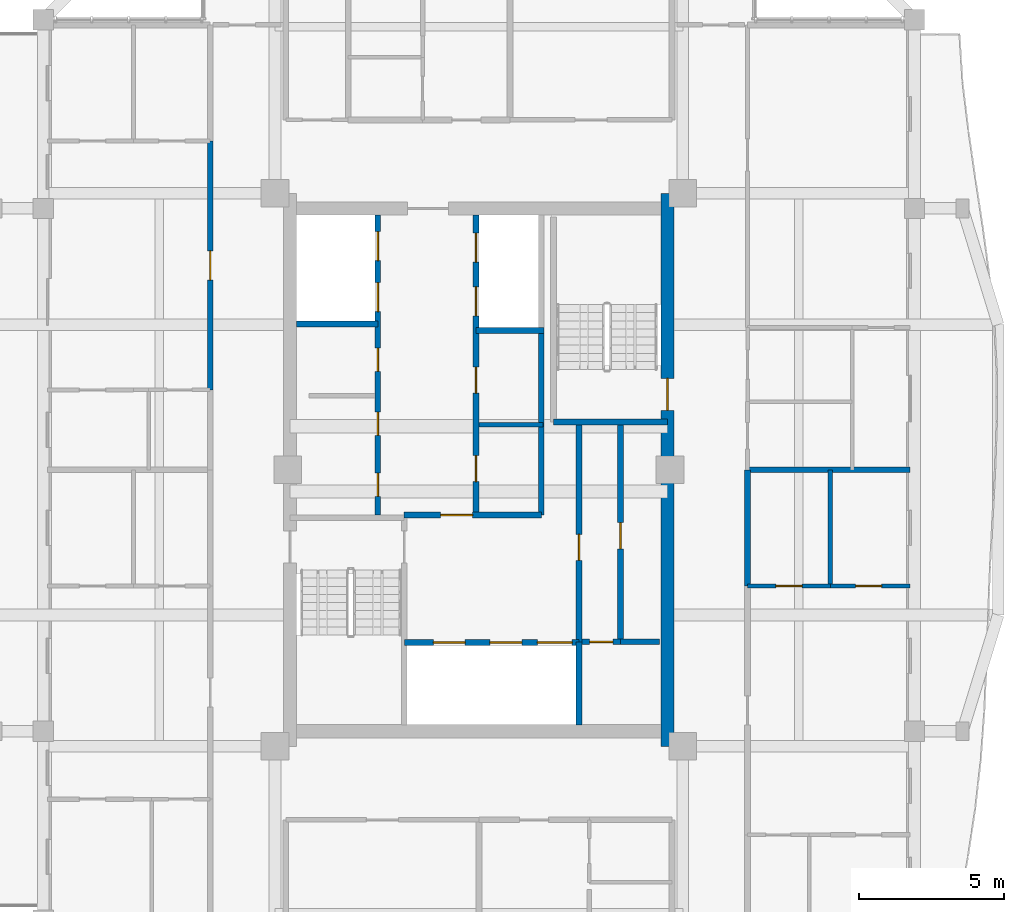
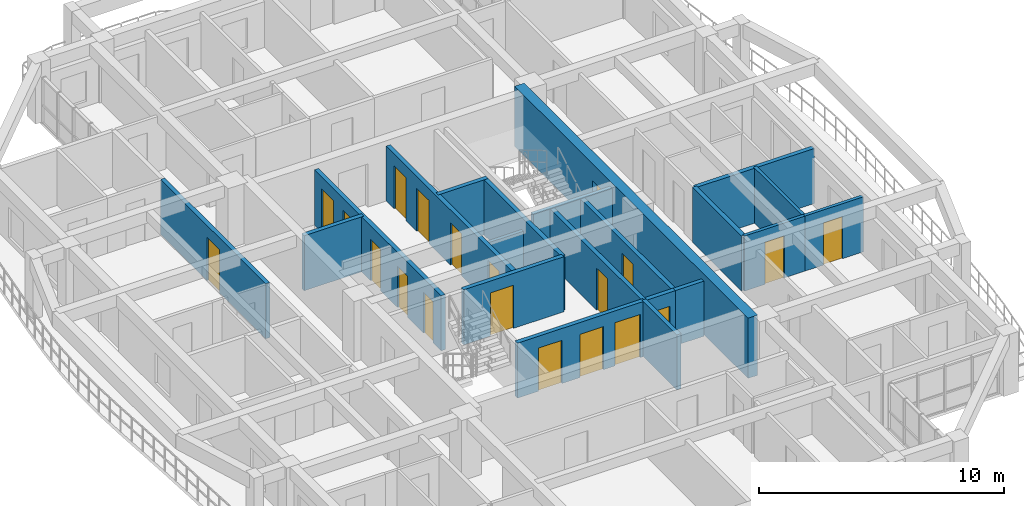
# One storey, part 16 of 24: 21 walls, 20 doors, 20 openings.
"""IFC4 building model written with IfcOpenShell, lengths in metres."""

import ifcopenshell
import ifcopenshell.guid

model = None  # the IFC model being written
_history = None  # IfcOwnerHistory: only IFC2X3 demands one
_inside = {}  # id of a spatial element -> (the spatial element, [elements in it])
_under = {}  # id of a project, library or spatial element -> (it, [spatial elements below it])
_declared = {}  # id of a project -> (the project, [libraries it declares])
_typed = {}  # id of a type object -> (the type object, [elements of that type])
_made_of = {}  # id of a material, layer set ... -> (it, [elements and type objects made of it])


def new_model(schema):
    """Start an empty IFC model of exactly this schema.

    Asked for "IFC4X3", IfcOpenShell would pick the latest addendum, in which some entities
    have other attributes; the version numbers below select the first issue.
    IFC2X3 requires an IfcOwnerHistory on every rooted entity: one is made here for all.
    """
    global model, _history
    if schema == "IFC4X3":
        model = ifcopenshell.file(schema_version=(4, 3, 0, 0))
    else:
        model = ifcopenshell.file(schema=schema)
    _inside.clear()
    _under.clear()
    _declared.clear()
    _typed.clear()
    _made_of.clear()
    _history = None
    if model.schema == "IFC2X3":
        org = make("IfcOrganization", Name="unknown")
        user = make(
            "IfcPersonAndOrganization",
            ThePerson=make("IfcPerson", FamilyName="unknown"),
            TheOrganization=org,
        )
        app = make(
            "IfcApplication",
            ApplicationDeveloper=org,
            Version="unknown",
            ApplicationFullName="unknown",
            ApplicationIdentifier="unknown",
        )
        _history = make(
            "IfcOwnerHistory",
            OwningUser=user,
            OwningApplication=app,
            ChangeAction="ADDED",
            CreationDate=0,
        )
    return model


def make(cls, **values):
    """One entity of the class cls with the attributes given. An attribute that is None is left unset."""
    return model.create_entity(
        cls, **{name: value for name, value in values.items() if value is not None}
    )


def rooted(cls, **values):
    """An entity with a GlobalId (a new one), such as an element, a storey or a relation."""
    return make(cls, GlobalId=ifcopenshell.guid.new(), OwnerHistory=_history, **values)


def si_unit(unit_type, name, prefix=None):
    """IfcSIUnit, for example si_unit("LENGTHUNIT", "METRE", prefix="MILLI")."""
    return make("IfcSIUnit", UnitType=unit_type, Prefix=prefix, Name=name)


def assignment(units):
    """IfcUnitAssignment: the units of a project."""
    return None if units is None else make("IfcUnitAssignment", Units=units)


def point(xyz):
    """IfcCartesianPoint."""
    return None if xyz is None else make("IfcCartesianPoint", Coordinates=xyz)


def direction(xyz):
    """IfcDirection."""
    return None if xyz is None else make("IfcDirection", DirectionRatios=xyz)


def frame(location, z_axis=None, x_axis=None):
    """IfcAxis2Placement3D, a coordinate frame: its origin and axes. An axis left out is left unset."""
    return make(
        "IfcAxis2Placement3D",
        Location=point(location),
        Axis=direction(z_axis),
        RefDirection=direction(x_axis),
    )


def frame_2d(location, x_axis=None):
    """IfcAxis2Placement2D, a coordinate frame in the plane: its origin and x axis."""
    return make(
        "IfcAxis2Placement2D", Location=point(location), RefDirection=direction(x_axis)
    )


def origin():
    """The frame at (0, 0, 0) with its axes left unset."""
    return frame((0.0, 0.0, 0.0))


def place(relative_to, where):
    """IfcLocalPlacement: puts the frame where relative to a parent placement (None: the world)."""
    return make(
        "IfcLocalPlacement", PlacementRelTo=relative_to, RelativePlacement=where
    )


def context(
    kind, dimensions, precision=None, world=None, true_north=None, identifier=None
):
    """IfcGeometricRepresentationContext, for example the 3D "Model" context."""
    return make(
        "IfcGeometricRepresentationContext",
        ContextIdentifier=identifier,
        ContextType=kind,
        CoordinateSpaceDimension=dimensions,
        Precision=precision,
        WorldCoordinateSystem=world,
        TrueNorth=true_north,
    )


def subcontext(parent, identifier, kind, view, scale=None):
    """IfcGeometricRepresentationSubContext, for example "Body" below "Model"."""
    return make(
        "IfcGeometricRepresentationSubContext",
        ContextIdentifier=identifier,
        ContextType=kind,
        ParentContext=parent,
        TargetScale=scale,
        TargetView=view,
    )


def project(units=None, contexts=None):
    """IfcProject with its units and contexts."""
    return rooted(
        "IfcProject",
        Name="project",
        RepresentationContexts=contexts,
        UnitsInContext=assignment(units),
    )


def spatial(cls, under=None, at=None, **own):
    """A site, building, storey or space (cls), placed at a placement, below another one or the project."""
    s = rooted(cls, ObjectPlacement=at, **own)
    if under is not None:
        _under.setdefault(under.id(), (under, []))[1].append(s)
    return s


def profile(cls, at=None, kind="AREA", **sizes):
    """A parametric profile (cls). Its sizes go by their IFC names, for example OverallWidth=200.0."""
    return make(cls, ProfileType=kind, Position=at, **sizes)


def rectangle(**sizes):
    """IfcRectangleProfileDef."""
    return profile("IfcRectangleProfileDef", **sizes)


def extrude(swept, where, along, depth):
    """IfcExtrudedAreaSolid: the profile swept, set in the frame where, extruded along a direction by depth."""
    return make(
        "IfcExtrudedAreaSolid",
        SweptArea=swept,
        Position=where,
        ExtrudedDirection=direction(along),
        Depth=depth,
    )


def shape(context_of_items, identifier, shape_type, items):
    """IfcShapeRepresentation: the items that make up one representation, for example the "Body"."""
    return make(
        "IfcShapeRepresentation",
        ContextOfItems=context_of_items,
        RepresentationIdentifier=identifier,
        RepresentationType=shape_type,
        Items=items,
    )


def source(mapping_origin, context_of_items, identifier, shape_type, items):
    """IfcRepresentationMap: a shape defined once, which mapped items show again and again."""
    return make(
        "IfcRepresentationMap",
        MappingOrigin=mapping_origin,
        MappedRepresentation=shape(context_of_items, identifier, shape_type, items),
    )


def transform(
    local_origin,
    x_axis=None,
    y_axis=None,
    z_axis=None,
    scale=None,
    scale2=None,
    scale3=None,
    uniform=True,
):
    """IfcCartesianTransformationOperator3D, or its non-uniform kind. x_axis, y_axis, z_axis: its Axis1, 2, 3."""
    if uniform:
        return make(
            "IfcCartesianTransformationOperator3D",
            Axis1=direction(x_axis),
            Axis2=direction(y_axis),
            LocalOrigin=point(local_origin),
            Scale=scale,
            Axis3=direction(z_axis),
        )
    return make(
        "IfcCartesianTransformationOperator3DnonUniform",
        Axis1=direction(x_axis),
        Axis2=direction(y_axis),
        LocalOrigin=point(local_origin),
        Scale=scale,
        Axis3=direction(z_axis),
        Scale2=scale2,
        Scale3=scale3,
    )


def mapped(mapping_source, mapping_target):
    """IfcMappedItem: shows the shape of a source again, moved by a transform."""
    return make(
        "IfcMappedItem", MappingSource=mapping_source, MappingTarget=mapping_target
    )


def material(Name=None, Category=None):
    """IfcMaterial."""
    return make("IfcMaterial", Name=Name, Category=Category)


def layer(
    of_material, thickness, ventilated=None, Name=None, Category=None, Priority=None
):
    """IfcMaterialLayer: one layer of a wall or slab, of a material (None: an air gap)."""
    return make(
        "IfcMaterialLayer",
        Material=of_material,
        LayerThickness=thickness,
        IsVentilated=ventilated,
        Name=Name,
        Category=Category,
        Priority=Priority,
    )


def layer_set(layers, Name=None):
    """IfcMaterialLayerSet."""
    return make("IfcMaterialLayerSet", MaterialLayers=layers, LayerSetName=Name)


def made_of(thing, what):
    """Note that an element or type object is made of a material, layer set ...; save() writes the relation."""
    if what is not None:
        _made_of.setdefault(what.id(), (what, []))[1].append(thing)
    return thing


def type_object(cls, material=None, **own):
    """A type object (cls), such as IfcWallType, which elements share."""
    return made_of(rooted(cls, **own), material)


def element(
    cls,
    number,
    at=None,
    inside=None,
    cuts=None,
    type_object=None,
    material=None,
    context=None,
    identifier="Body",
    shape_type=None,
    held_by="IfcProductDefinitionShape",
    body=None,
    shapes=None,
    **own,
):
    """One element of the class cls, such as IfcWall. Its Tag is "e" and its number.

    at: its placement. inside: the storey or other place that contains it. cuts: it is an
    opening in that element (IfcRelVoidsElement). A single representation is given by context,
    identifier, shape_type and body (its items); several are given by shapes. held_by: the class
    of the entity that holds the representations. save() writes the other relations.
    """
    e = rooted(cls, Tag="e%d" % number, ObjectPlacement=at, **own)
    if body is not None:
        shapes = [shape(context, identifier, shape_type, body)]
    if shapes is not None:
        e.Representation = make(held_by, Representations=shapes)
    if inside is not None:
        _inside.setdefault(inside.id(), (inside, []))[1].append(e)
    if cuts is not None:
        rooted(
            "IfcRelVoidsElement", RelatingBuildingElement=cuts, RelatedOpeningElement=e
        )
    if type_object is not None:
        _typed.setdefault(type_object.id(), (type_object, []))[1].append(e)
    return made_of(e, material)


def fill(opening, filler):
    """IfcRelFillsElement: the door or window that sits in an opening."""
    return rooted(
        "IfcRelFillsElement",
        RelatingOpeningElement=opening,
        RelatedBuildingElement=filler,
    )


def aggregate(whole, parts):
    """IfcRelAggregates: a whole, such as a stair, and the parts it consists of."""
    return rooted("IfcRelAggregates", RelatingObject=whole, RelatedObjects=parts)


def save(model, path):
    """Write the relations noted so far, then the file.

    IfcRelAggregates (storeys below a building ...), IfcRelContainedInSpatialStructure (elements
    in a storey), IfcRelDefinesByType, IfcRelAssociatesMaterial and IfcRelDeclares: one each for
    every whole, place, type object, material and project.
    """
    for whole, parts in _under.values():
        aggregate(whole, parts)
    for where, things in _inside.values():
        rooted(
            "IfcRelContainedInSpatialStructure",
            RelatedElements=things,
            RelatingStructure=where,
        )
    for kind, things in _typed.values():
        rooted("IfcRelDefinesByType", RelatedObjects=things, RelatingType=kind)
    for what, things in _made_of.values():
        rooted("IfcRelAssociatesMaterial", RelatedObjects=things, RelatingMaterial=what)
    for by, libraries in _declared.values():
        rooted("IfcRelDeclares", RelatingContext=by, RelatedDefinitions=libraries)
    model.write(path)


model = new_model("IFC4")

# Units and contexts
model_context = context("Model", 3, precision=1e-05, world=origin(), true_north=direction((0.0, 1.0)))
body_context = subcontext(model_context, "Body", "Model", "MODEL_VIEW")
ifc_project = project(units=[si_unit("LENGTHUNIT", "METRE"), si_unit("AREAUNIT", "SQUARE_METRE"), si_unit("VOLUMEUNIT", "CUBIC_METRE"), si_unit("PLANEANGLEUNIT", "RADIAN"), si_unit("MASSUNIT", "GRAM", prefix="KILO")], contexts=[model_context])

# Site, building, storey
site_placement = place(None, origin())
site = spatial("IfcSite", under=ifc_project, at=site_placement, CompositionType="ELEMENT")
building_placement = place(site_placement, origin())
building = spatial("IfcBuilding", under=site, at=building_placement, Name="Saelheon Loggia Tower", CompositionType="ELEMENT")
storey_placement = place(building_placement, frame((0.0, 0.0, 246.0)))
storey = spatial("IfcBuildingStorey", under=building, at=storey_placement, Name="L76", CompositionType="ELEMENT", Elevation=246.0)

# Wall, opening, door
ifc_material_1 = material(Name="Concrete C45/55", Category="concrete")
ifc_layer_1 = layer(ifc_material_1, 0.449951171875)
ifc_layer_set_1 = layer_set([ifc_layer_1], Name="Concrete C45/55")
wall_type_1 = type_object("IfcWallType", Name="Wall_CoreShear_450", PredefinedType="SHEAR", material=ifc_layer_set_1)
wall_1_placement = place(storey_placement, frame((44.5, 17.47998046875, 0.0), z_axis=(0.0, 0.0, 1.0), x_axis=(0.0, 1.0, 0.0)))
wall_1 = element("IfcWall", 1, at=wall_1_placement, inside=storey, type_object=wall_type_1, Name="L76 Core Shear Wall East", PredefinedType="SHEAR", context=body_context, shape_type="SweptSolid", body=[
    extrude(rectangle(XDim=19.0400390625, YDim=0.449951171875, at=frame_2d((9.52001953125, 0.0))), origin(), (0.0, 0.0, 1.0), 3.0),
])
opening_1_placement = place(wall_1_placement, frame((12.670166015625, 0.0, 0.0), z_axis=(0.0, 0.0, 1.0), x_axis=(-1.0, 0.0, 0.0)))
opening_1 = element("IfcOpeningElement", 2, at=opening_1_placement, cuts=wall_1, Name="Opening D-FD2", PredefinedType="OPENING", context=body_context, shape_type="SweptSolid", body=[
    extrude(rectangle(XDim=1.10009765625, YDim=2.14990234375, at=frame_2d((0.550048828125, 1.074951171875))), frame((0.0, 0.237060546875, 0.0), z_axis=(0.0, -1.0, 0.0), x_axis=(1.0, 0.0, 0.0)), (0.0, 0.0, 1.0), 0.473876953125),
])
ifc_material_2 = material(Name="Galvanised Steel Fire Door", Category="steel")
door_type_1 = type_object("IfcDoorType", Name="Door_Fire_FD60_1100", OperationType="NOTDEFINED", PredefinedType="DOOR", material=ifc_material_2)
shared_shape_1 = source(origin(), body_context, "Body", "SweptSolid", [
    extrude(rectangle(XDim=1.10009765625, YDim=2.14990234375, at=frame_2d((0.550048828125, 1.074951171875))), frame((0.0, 0.02490234375, 0.0), z_axis=(0.0, -1.0, 0.0), x_axis=(1.0, 0.0, 0.0)), (0.0, 0.0, 1.0), 0.050048828125),
])
door_1_placement = place(opening_1_placement, origin())
door_1 = element("IfcDoor", 3, at=door_1_placement, inside=storey, type_object=door_type_1, Name="L76 Stair ST2 Corridor Door", OperationType="SINGLE_SWING_RIGHT", OverallHeight=2.14990234375, OverallWidth=1.10009765625, PredefinedType="DOOR", context=body_context, shape_type="MappedRepresentation", body=[
    mapped(shared_shape_1, transform((0.0, 0.0, 0.0), scale=1.0)),
])
fill(opening_1, door_1)

# Walls
ifc_material_3 = material(Name="Lightweight Autoclaved Aerated Concrete Block and Acoustic Gypsum", Category="concrete")
ifc_layer_2 = layer(ifc_material_3, 0.14990234375)
ifc_layer_set_2 = layer_set([ifc_layer_2], Name="Lightweight Autoclaved Aerated Concrete Block and Acoustic Gypsum")
wall_type_2 = type_object("IfcWallType", Name="Wall_Part_150", PredefinedType="PARTITIONING", material=ifc_layer_set_2)
wall_2_placement = place(storey_placement, frame((38.0, 28.550048828125, 0.0), z_axis=(0.0, 0.0, 1.0), x_axis=(1.0, 0.0, 0.0)))
element("IfcWall", 4, at=wall_2_placement, inside=storey, type_object=wall_type_2, Name="L76 Freed Core Partition PM", PredefinedType="PARTITIONING", context=body_context, shape_type="SweptSolid", body=[
    extrude(rectangle(XDim=2.199951171875, YDim=0.14990234375, at=frame_2d((1.10009765625, 0.0))), origin(), (0.0, 0.0, 1.0), 2.139892578125),
])
wall_3_placement = place(storey_placement, frame((50.10009765625, 23.0, 0.0), z_axis=(0.0, 0.0, 1.0), x_axis=(0.0, 1.0, 0.0)))
element("IfcWall", 5, at=wall_3_placement, inside=storey, type_object=wall_type_2, Name="L76 E Partition V07", PredefinedType="PARTITIONING", context=body_context, shape_type="SweptSolid", body=[
    extrude(rectangle(XDim=4.0, YDim=0.14990234375, at=frame_2d((2.0, 0.0))), origin(), (0.0, 0.0, 1.0), 2.739990234375),
])

# Wall, opening, door
wall_4_placement = place(storey_placement, frame((47.25, 23.0, 0.0), z_axis=(0.0, 0.0, 1.0), x_axis=(1.0, 0.0, 0.0)))
wall_4 = element("IfcWall", 6, at=wall_4_placement, inside=storey, type_object=wall_type_2, Name="L76 E Partition U11", PredefinedType="PARTITIONING", context=body_context, shape_type="SweptSolid", body=[
    extrude(rectangle(XDim=2.85009765625, YDim=0.14990234375, at=frame_2d((1.425048828125, 0.0))), origin(), (0.0, 0.0, 1.0), 2.739990234375),
])
opening_2_placement = place(wall_4_placement, frame((0.97509765625, 0.0, 0.0)))
opening_2 = element("IfcOpeningElement", 7, at=opening_2_placement, cuts=wall_4, Name="Opening D-IN2", PredefinedType="OPENING", context=body_context, shape_type="SweptSolid", body=[
    extrude(rectangle(XDim=0.89990234375, YDim=2.10009765625, at=frame_2d((0.449951171875, 1.050048828125))), frame((0.0, 0.0869140625, 0.0), z_axis=(0.0, -1.0, 0.0), x_axis=(1.0, 0.0, 0.0)), (0.0, 0.0, 1.0), 0.173828125),
])
ifc_material_4 = material(Name="Engineered Oak Flush Door", Category="timber")
door_type_2 = type_object("IfcDoorType", Name="Door_Int_900", OperationType="NOTDEFINED", PredefinedType="DOOR", material=ifc_material_4)
shared_shape_2 = source(origin(), body_context, "Body", "SweptSolid", [
    extrude(rectangle(XDim=0.89990234375, YDim=2.10009765625, at=frame_2d((0.449951171875, 1.050048828125))), frame((0.0, 0.02490234375, 0.0), z_axis=(0.0, -1.0, 0.0), x_axis=(1.0, 0.0, 0.0)), (0.0, 0.0, 1.0), 0.050048828125),
])
door_2_placement = place(opening_2_placement, origin())
door_2 = element("IfcDoor", 8, at=door_2_placement, inside=storey, type_object=door_type_2, Name="Unit U05 Private Study Door", OperationType="SINGLE_SWING_LEFT", OverallHeight=2.10009765625, OverallWidth=0.89990234375, PredefinedType="DOOR", context=body_context, shape_type="MappedRepresentation", body=[
    mapped(shared_shape_2, transform((0.0, 0.0, 0.0), scale=1.0)),
])
fill(opening_2, door_2)

wall_5_placement = place(storey_placement, frame((50.10009765625, 23.0, 0.0), z_axis=(0.0, 0.0, 1.0), x_axis=(1.0, 0.0, 0.0)))
wall_5 = element("IfcWall", 9, at=wall_5_placement, inside=storey, type_object=wall_type_2, Name="L76 E Partition U12", PredefinedType="PARTITIONING", context=body_context, shape_type="SweptSolid", body=[
    extrude(rectangle(XDim=2.75, YDim=0.14990234375, at=frame_2d((1.375, 0.0))), origin(), (0.0, 0.0, 1.0), 2.739990234375),
])
opening_3_placement = place(wall_5_placement, frame((0.867919921875, 0.0, 0.0)))
opening_3 = element("IfcOpeningElement", 10, at=opening_3_placement, cuts=wall_5, Name="Opening D-IN2", PredefinedType="OPENING", context=body_context, shape_type="SweptSolid", body=[
    extrude(rectangle(XDim=0.89990234375, YDim=2.10009765625, at=frame_2d((0.449951171875, 1.050048828125))), frame((0.0, 0.0869140625, 0.0), z_axis=(0.0, -1.0, 0.0), x_axis=(1.0, 0.0, 0.0)), (0.0, 0.0, 1.0), 0.173828125),
])
door_3_placement = place(opening_3_placement, origin())
door_3 = element("IfcDoor", 11, at=door_3_placement, inside=storey, type_object=door_type_2, Name="Unit U05 Bedroom 1 Door", OperationType="SINGLE_SWING_RIGHT", OverallHeight=2.10009765625, OverallWidth=0.89990234375, PredefinedType="DOOR", context=body_context, shape_type="MappedRepresentation", body=[
    mapped(shared_shape_2, transform((0.0, 0.0, 0.0), scale=1.0)),
])
fill(opening_3, door_3)

ifc_material_5 = material(Name="Double Acoustic Stud and Fireboard Partition", Category="gypsum")
ifc_layer_3 = layer(ifc_material_5, 0.199951171875)
ifc_layer_set_3 = layer_set([ifc_layer_3], Name="Double Acoustic Stud and Fireboard Partition")
wall_type_3 = type_object("IfcWallType", Name="Wall_Party_200", PredefinedType="PARTITIONING", material=ifc_layer_set_3)
wall_6_placement = place(storey_placement, frame((28.75, 29.75, 0.0), z_axis=(0.0, 0.0, 1.0), x_axis=(0.0, 1.0, 0.0)))
wall_6 = element("IfcWall", 12, at=wall_6_placement, inside=storey, type_object=wall_type_3, Name="L76 W Partition V15", PredefinedType="PARTITIONING", context=body_context, shape_type="SweptSolid", body=[
    extrude(rectangle(XDim=8.570068359375, YDim=0.199951171875, at=frame_2d((4.28515625, 0.0))), origin(), (0.0, 0.0, 1.0), 2.739990234375),
])
opening_4_placement = place(wall_6_placement, frame((3.784912109375, 0.0, 0.0)))
opening_4 = element("IfcOpeningElement", 13, at=opening_4_placement, cuts=wall_6, Name="Opening D-FD1", PredefinedType="OPENING", context=body_context, shape_type="SweptSolid", body=[
    extrude(rectangle(XDim=1.0, YDim=2.14990234375, at=frame_2d((0.5, 1.074951171875))), frame((0.0, 0.112060546875, 0.0), z_axis=(0.0, -1.0, 0.0), x_axis=(1.0, 0.0, 0.0)), (0.0, 0.0, 1.0), 0.223876953125),
])
ifc_material_6 = material(Name="Fire-Rated Engineered Timber Entrance Door", Category="wood")
door_type_3 = type_object("IfcDoorType", Name="Door_Flat_FD30S", OperationType="NOTDEFINED", PredefinedType="DOOR", material=ifc_material_6)
shared_shape_3 = source(origin(), body_context, "Body", "SweptSolid", [
    extrude(rectangle(XDim=1.0, YDim=2.14990234375, at=frame_2d((0.5, 1.074951171875))), frame((0.0, 0.02490234375, 0.0), z_axis=(0.0, -1.0, 0.0), x_axis=(1.0, 0.0, 0.0)), (0.0, 0.0, 1.0), 0.050048828125),
])
door_4_placement = place(opening_4_placement, origin())
door_4 = element("IfcDoor", 14, at=door_4_placement, inside=storey, type_object=door_type_3, Name="Unit U04 Entrance Door", OperationType="SINGLE_SWING_LEFT", OverallHeight=2.14990234375, OverallWidth=1.0, PredefinedType="DOOR", context=body_context, shape_type="MappedRepresentation", body=[
    mapped(shared_shape_3, transform((0.0, 0.0, 0.0), scale=1.0)),
])
fill(opening_4, door_4)

# Walls
wall_7_placement = place(storey_placement, frame((47.25, 23.0, 0.0), z_axis=(0.0, 0.0, 1.0), x_axis=(0.0, 1.0, 0.0)))
element("IfcWall", 15, at=wall_7_placement, inside=storey, type_object=wall_type_3, Name="L76 E Partition V05", PredefinedType="PARTITIONING", context=body_context, shape_type="SweptSolid", body=[
    extrude(rectangle(XDim=4.0, YDim=0.199951171875, at=frame_2d((2.0, 0.0))), origin(), (0.0, 0.0, 1.0), 2.739990234375),
])
wall_8_placement = place(storey_placement, frame((47.25, 27.0, 0.0), z_axis=(0.0, 0.0, 1.0), x_axis=(1.0, 0.0, 0.0)))
element("IfcWall", 16, at=wall_8_placement, inside=storey, type_object=wall_type_3, Name="L76 E Partition U13", PredefinedType="PARTITIONING", context=body_context, shape_type="SweptSolid", body=[
    extrude(rectangle(XDim=5.60009765625, YDim=0.199951171875, at=frame_2d((2.800048828125, 0.0))), origin(), (0.0, 0.0, 1.0), 2.739990234375),
])

# Wall, opening, door
ifc_material_7 = material(Name="Concrete C40/50", Category="concrete")
ifc_layer_4 = layer(ifc_material_7, 0.199951171875)
ifc_layer_set_4 = layer_set([ifc_layer_4], Name="Concrete C40/50")
wall_type_4 = type_object("IfcWallType", Name="Wall_Shaft_200", PredefinedType="PARTITIONING", material=ifc_layer_set_4)
wall_9_placement = place(storey_placement, frame((41.550048828125, 21.080078125, 0.0), z_axis=(0.0, 0.0, 1.0), x_axis=(1.0, 0.0, 0.0)))
wall_9 = element("IfcWall", 17, at=wall_9_placement, inside=storey, type_object=wall_type_4, Name="CW-BOH-L76-HS", PredefinedType="PARTITIONING", context=body_context, shape_type="SweptSolid", body=[
    extrude(rectangle(XDim=1.329833984375, YDim=0.199951171875, at=frame_2d((0.6650390625, 0.0))), origin(), (0.0, 0.0, 1.0), 2.739990234375),
])
opening_5_placement = place(wall_9_placement, frame((0.260009765625, 0.0, 0.0)))
opening_5 = element("IfcOpeningElement", 18, at=opening_5_placement, cuts=wall_9, Name="Opening D-ST1", PredefinedType="OPENING", context=body_context, shape_type="SweptSolid", body=[
    extrude(rectangle(XDim=0.800048828125, YDim=2.050048828125, at=frame_2d((0.39990234375, 1.02490234375))), frame((0.0, 0.112060546875, 0.0), z_axis=(0.0, -1.0, 0.0), x_axis=(1.0, 0.0, 0.0)), (0.0, 0.0, 1.0), 0.223876953125),
])
ifc_material_8 = material(Name="Powder-Coated Steel Store Door", Category="steel")
door_type_4 = type_object("IfcDoorType", Name="Door_Store_800", OperationType="NOTDEFINED", PredefinedType="DOOR", material=ifc_material_8)
shared_shape_4 = source(origin(), body_context, "Body", "SweptSolid", [
    extrude(rectangle(XDim=0.800048828125, YDim=2.050048828125, at=frame_2d((0.39990234375, 1.02490234375))), frame((0.0, 0.02490234375, 0.0), z_axis=(0.0, -1.0, 0.0), x_axis=(1.0, 0.0, 0.0)), (0.0, 0.0, 1.0), 0.050048828125),
])
door_5_placement = place(opening_5_placement, origin())
door_5 = element("IfcDoor", 19, at=door_5_placement, inside=storey, type_object=door_type_4, Name="L76 Electrical Riser Door", OperationType="SINGLE_SWING_LEFT", OverallHeight=2.050048828125, OverallWidth=0.800048828125, PredefinedType="DOOR", context=body_context, shape_type="MappedRepresentation", body=[
    mapped(shared_shape_4, transform((0.0, 0.0, 0.0), scale=1.0)),
])
fill(opening_5, door_5)

# Wall
wall_10_placement = place(storey_placement, frame((42.8798828125, 21.080078125, 0.0), z_axis=(0.0, 0.0, 1.0), x_axis=(1.0, 0.0, 0.0)))
element("IfcWall", 20, at=wall_10_placement, inside=storey, type_object=wall_type_4, Name="CW-BOH-L76-HS2", PredefinedType="PARTITIONING", context=body_context, shape_type="SweptSolid", body=[
    extrude(rectangle(XDim=1.340087890625, YDim=0.199951171875, at=frame_2d((0.669921875, 0.0))), origin(), (0.0, 0.0, 1.0), 2.739990234375),
])

# Wall, opening, door
wall_11_placement = place(storey_placement, frame((42.8798828125, 21.080078125, 0.0), z_axis=(0.0, 0.0, 1.0), x_axis=(0.0, 1.0, 0.0)))
wall_11 = element("IfcWall", 21, at=wall_11_placement, inside=storey, type_object=wall_type_4, Name="CW-BOH-L76-VS", PredefinedType="PARTITIONING", context=body_context, shape_type="SweptSolid", body=[
    extrude(rectangle(XDim=7.469970703125, YDim=0.199951171875, at=frame_2d((3.73486328125, 0.0))), origin(), (0.0, 0.0, 1.0), 2.739990234375),
])
opening_6_placement = place(wall_11_placement, frame((3.199951171875, 0.0, 0.0)))
opening_6 = element("IfcOpeningElement", 22, at=opening_6_placement, cuts=wall_11, Name="Opening D-RS1", PredefinedType="OPENING", context=body_context, shape_type="SweptSolid", body=[
    extrude(rectangle(XDim=0.89990234375, YDim=2.10009765625, at=frame_2d((0.449951171875, 1.050048828125))), frame((0.0, 0.112060546875, 0.0), z_axis=(0.0, -1.0, 0.0), x_axis=(1.0, 0.0, 0.0)), (0.0, 0.0, 1.0), 0.223876953125),
])
ifc_material_9 = material(Name="Galvanised Steel Riser Access Door", Category="steel")
door_type_5 = type_object("IfcDoorType", Name="Door_Riser_FD60", OperationType="NOTDEFINED", PredefinedType="DOOR", material=ifc_material_9)
door_6_placement = place(opening_6_placement, origin())
door_6 = element("IfcDoor", 23, at=door_6_placement, inside=storey, type_object=door_type_5, Name="L76 Linen Store Door", OperationType="SINGLE_SWING_RIGHT", OverallHeight=2.10009765625, OverallWidth=0.89990234375, PredefinedType="DOOR", context=body_context, shape_type="MappedRepresentation", body=[
    mapped(shared_shape_2, transform((0.0, 0.0, 0.0), scale=1.0)),
])
fill(opening_6, door_6)

# Wall
wall_12_placement = place(storey_placement, frame((41.449951171875, 18.219970703125, 0.0), z_axis=(0.0, 0.0, 1.0), x_axis=(0.0, 1.0, 0.0)))
element("IfcWall", 24, at=wall_12_placement, inside=storey, type_object=wall_type_4, Name="CW-INT-L76-BOH-W0", PredefinedType="PARTITIONING", context=body_context, shape_type="SweptSolid", body=[
    extrude(rectangle(XDim=2.860107421875, YDim=0.199951171875, at=frame_2d((1.43017578125, 0.0))), origin(), (0.0, 0.0, 1.0), 2.739990234375),
])

# Wall, opening, door
wall_13_placement = place(storey_placement, frame((41.449951171875, 21.080078125, 0.0), z_axis=(0.0, 0.0, 1.0), x_axis=(0.0, 1.0, 0.0)))
wall_13 = element("IfcWall", 25, at=wall_13_placement, inside=storey, type_object=wall_type_4, Name="CW-INT-L76-BOH-W1", PredefinedType="PARTITIONING", context=body_context, shape_type="SweptSolid", body=[
    extrude(rectangle(XDim=7.52001953125, YDim=0.199951171875, at=frame_2d((3.760009765625, 0.0))), origin(), (0.0, 0.0, 1.0), 2.739990234375),
])
opening_7_placement = place(wall_13_placement, frame((2.800048828125, 0.0, 0.0)))
opening_7 = element("IfcOpeningElement", 26, at=opening_7_placement, cuts=wall_13, Name="Opening D-RS1", PredefinedType="OPENING", context=body_context, shape_type="SweptSolid", body=[
    extrude(rectangle(XDim=0.89990234375, YDim=2.10009765625, at=frame_2d((0.449951171875, 1.050048828125))), frame((0.0, 0.112060546875, 0.0), z_axis=(0.0, -1.0, 0.0), x_axis=(1.0, 0.0, 0.0)), (0.0, 0.0, 1.0), 0.223876953125),
])
door_7_placement = place(opening_7_placement, origin())
door_7 = element("IfcDoor", 27, at=door_7_placement, inside=storey, type_object=door_type_5, Name="L76 Service Store Door", OperationType="SINGLE_SWING_LEFT", OverallHeight=2.10009765625, OverallWidth=0.89990234375, PredefinedType="DOOR", context=body_context, shape_type="MappedRepresentation", body=[
    mapped(shared_shape_2, transform((0.0, 0.0, 0.0), scale=1.0)),
])
fill(opening_7, door_7)

# Wall
wall_14_placement = place(storey_placement, frame((40.14990234375, 25.43994140625, 0.0), z_axis=(0.0, 0.0, 1.0), x_axis=(0.0, 1.0, 0.0)))
element("IfcWall", 28, at=wall_14_placement, inside=storey, type_object=wall_type_4, Name="L76 Core Service Passage West Wall", PredefinedType="PARTITIONING", context=body_context, shape_type="SweptSolid", body=[
    extrude(rectangle(XDim=6.360107421875, YDim=0.199951171875, at=frame_2d((3.18017578125, 0.0))), origin(), (0.0, 0.0, 1.0), 2.739990234375),
])

# Wall, openings, doors
wall_15_placement = place(storey_placement, frame((35.429931640625, 21.06005859375, 0.0), z_axis=(0.0, 0.0, 1.0), x_axis=(1.0, 0.0, 0.0)))
wall_15 = element("IfcWall", 29, at=wall_15_placement, inside=storey, type_object=wall_type_4, Name="L76 Firefighting Lift Shaft Front Wall", PredefinedType="PARTITIONING", context=body_context, shape_type="SweptSolid", body=[
    extrude(rectangle(XDim=6.02001953125, YDim=0.199951171875, at=frame_2d((3.010009765625, 0.0))), origin(), (0.0, 0.0, 1.0), 2.739990234375),
])
opening_8_placement = place(wall_15_placement, frame((1.0, 0.0, 0.0)))
opening_8 = element("IfcOpeningElement", 30, at=opening_8_placement, cuts=wall_15, Name="Opening LD2", PredefinedType="OPENING", context=body_context, shape_type="SweptSolid", body=[
    extrude(rectangle(XDim=1.10009765625, YDim=2.14990234375, at=frame_2d((0.550048828125, 1.074951171875))), frame((0.0, 0.112060546875, 0.0), z_axis=(0.0, -1.0, 0.0), x_axis=(1.0, 0.0, 0.0)), (0.0, 0.0, 1.0), 0.223876953125),
])
opening_9_placement = place(wall_15_placement, frame((2.949951171875, 0.0, 0.0)))
opening_9 = element("IfcOpeningElement", 31, at=opening_9_placement, cuts=wall_15, Name="Opening LD2", PredefinedType="OPENING", context=body_context, shape_type="SweptSolid", body=[
    extrude(rectangle(XDim=1.10009765625, YDim=2.14990234375, at=frame_2d((0.550048828125, 1.074951171875))), frame((0.0, 0.112060546875, 0.0), z_axis=(0.0, -1.0, 0.0), x_axis=(1.0, 0.0, 0.0)), (0.0, 0.0, 1.0), 0.223876953125),
])
opening_10_placement = place(wall_15_placement, frame((4.580078125, 0.0, 0.0)))
opening_10 = element("IfcOpeningElement", 32, at=opening_10_placement, cuts=wall_15, Name="Opening LD3", PredefinedType="OPENING", context=body_context, shape_type="SweptSolid", body=[
    extrude(rectangle(XDim=1.199951171875, YDim=2.14990234375, at=frame_2d((0.60009765625, 1.074951171875))), frame((0.0, 0.112060546875, 0.0), z_axis=(0.0, -1.0, 0.0), x_axis=(1.0, 0.0, 0.0)), (0.0, 0.0, 1.0), 0.223876953125),
])
ifc_material_10 = material(Name="Firefighting Stainless Steel 316 Landing Door", Category="steel")
door_type_6 = type_object("IfcDoorType", Name="Door_Lift_LD2", OperationType="DOUBLE_DOOR_SLIDING", PredefinedType="DOOR", material=ifc_material_10)
door_8_placement = place(opening_8_placement, origin())
door_8 = element("IfcDoor", 33, at=door_8_placement, inside=storey, type_object=door_type_6, Name="L76 FF1 Landing Door", OperationType="DOUBLE_DOOR_SLIDING", OverallHeight=2.14990234375, OverallWidth=1.10009765625, PredefinedType="DOOR", context=body_context, shape_type="MappedRepresentation", body=[
    mapped(shared_shape_1, transform((0.0, 0.0, 0.0), scale=1.0)),
])
fill(opening_8, door_8)
door_9_placement = place(opening_9_placement, origin())
door_9 = element("IfcDoor", 34, at=door_9_placement, inside=storey, type_object=door_type_6, Name="L76 FF2 Landing Door", OperationType="DOUBLE_DOOR_SLIDING", OverallHeight=2.14990234375, OverallWidth=1.10009765625, PredefinedType="DOOR", context=body_context, shape_type="MappedRepresentation", body=[
    mapped(shared_shape_1, transform((0.0, 0.0, 0.0), scale=1.0)),
])
fill(opening_9, door_9)
ifc_material_11 = material(Name="Stretcher Lift Stainless Steel 304 Landing Door", Category="steel")
door_type_7 = type_object("IfcDoorType", Name="Door_Lift_LD3", OperationType="DOUBLE_DOOR_SLIDING", PredefinedType="DOOR", material=ifc_material_11)
shared_shape_5 = source(origin(), body_context, "Body", "SweptSolid", [
    extrude(rectangle(XDim=1.199951171875, YDim=2.14990234375, at=frame_2d((0.60009765625, 1.074951171875))), frame((0.0, 0.02490234375, 0.0), z_axis=(0.0, -1.0, 0.0), x_axis=(1.0, 0.0, 0.0)), (0.0, 0.0, 1.0), 0.050048828125),
])
door_10_placement = place(opening_10_placement, origin())
door_10 = element("IfcDoor", 35, at=door_10_placement, inside=storey, type_object=door_type_7, Name="L76 SV1 Landing Door", OperationType="DOUBLE_DOOR_SLIDING", OverallHeight=2.14990234375, OverallWidth=1.199951171875, PredefinedType="DOOR", context=body_context, shape_type="MappedRepresentation", body=[
    mapped(shared_shape_5, transform((0.0, 0.0, 0.0), scale=1.0)),
])
fill(opening_10, door_10)

# Wall, opening, door
wall_16_placement = place(storey_placement, frame((35.429931640625, 25.43994140625, 0.0), z_axis=(0.0, 0.0, 1.0), x_axis=(1.0, 0.0, 0.0)))
wall_16 = element("IfcWall", 36, at=wall_16_placement, inside=storey, type_object=wall_type_4, Name="L76 Firefighting Lobby Compartment Wall", PredefinedType="PARTITIONING", context=body_context, shape_type="SweptSolid", body=[
    extrude(rectangle(XDim=4.719970703125, YDim=0.199951171875, at=frame_2d((2.35986328125, 0.0))), origin(), (0.0, 0.0, 1.0), 2.739990234375),
])
opening_11_placement = place(wall_16_placement, frame((1.25, 0.0, 0.0)))
opening_11 = element("IfcOpeningElement", 37, at=opening_11_placement, cuts=wall_16, Name="Opening D-FD2", PredefinedType="OPENING", context=body_context, shape_type="SweptSolid", body=[
    extrude(rectangle(XDim=1.10009765625, YDim=2.14990234375, at=frame_2d((0.550048828125, 1.074951171875))), frame((0.0, 0.112060546875, 0.0), z_axis=(0.0, -1.0, 0.0), x_axis=(1.0, 0.0, 0.0)), (0.0, 0.0, 1.0), 0.223876953125),
])
door_11_placement = place(opening_11_placement, origin())
door_11 = element("IfcDoor", 38, at=door_11_placement, inside=storey, type_object=door_type_1, Name="L76 Firefighting Lobby Door", OperationType="SINGLE_SWING_RIGHT", OverallHeight=2.14990234375, OverallWidth=1.10009765625, PredefinedType="DOOR", context=body_context, shape_type="MappedRepresentation", body=[
    mapped(shared_shape_1, transform((0.0, 0.0, 0.0), scale=1.0)),
])
fill(opening_11, door_11)

# Wall, openings, doors
wall_17_placement = place(storey_placement, frame((34.52001953125, 25.43994140625, 0.0), z_axis=(0.0, 0.0, 1.0), x_axis=(0.0, 1.0, 0.0)))
wall_17 = element("IfcWall", 39, at=wall_17_placement, inside=storey, type_object=wall_type_4, Name="L76 West Passenger Lift Bank Wall", PredefinedType="PARTITIONING", context=body_context, shape_type="SweptSolid", body=[
    extrude(rectangle(XDim=10.340087890625, YDim=0.199951171875, at=frame_2d((5.169921875, 0.0))), origin(), (0.0, 0.0, 1.0), 2.739990234375),
])
opening_12_placement = place(wall_17_placement, frame((0.64990234375, 0.0, 0.0)))
opening_12 = element("IfcOpeningElement", 40, at=opening_12_placement, cuts=wall_17, Name="Opening D-ST1", PredefinedType="OPENING", context=body_context, shape_type="SweptSolid", body=[
    extrude(rectangle(XDim=0.800048828125, YDim=2.050048828125, at=frame_2d((0.39990234375, 1.02490234375))), frame((0.0, 0.112060546875, 0.0), z_axis=(0.0, -1.0, 0.0), x_axis=(1.0, 0.0, 0.0)), (0.0, 0.0, 1.0), 0.223876953125),
])
opening_13_placement = place(wall_17_placement, frame((2.75, 0.0, 0.0)))
opening_13 = element("IfcOpeningElement", 41, at=opening_13_placement, cuts=wall_17, Name="Opening D-ST1", PredefinedType="OPENING", context=body_context, shape_type="SweptSolid", body=[
    extrude(rectangle(XDim=0.800048828125, YDim=2.050048828125, at=frame_2d((0.39990234375, 1.02490234375))), frame((0.0, 0.112060546875, 0.0), z_axis=(0.0, -1.0, 0.0), x_axis=(1.0, 0.0, 0.0)), (0.0, 0.0, 1.0), 0.223876953125),
])
opening_14_placement = place(wall_17_placement, frame((4.949951171875, 0.0, 0.0)))
opening_14 = element("IfcOpeningElement", 42, at=opening_14_placement, cuts=wall_17, Name="Opening D-ST1", PredefinedType="OPENING", context=body_context, shape_type="SweptSolid", body=[
    extrude(rectangle(XDim=0.800048828125, YDim=2.050048828125, at=frame_2d((0.39990234375, 1.02490234375))), frame((0.0, 0.112060546875, 0.0), z_axis=(0.0, -1.0, 0.0), x_axis=(1.0, 0.0, 0.0)), (0.0, 0.0, 1.0), 0.223876953125),
])
opening_15_placement = place(wall_17_placement, frame((7.010009765625, 0.0, 0.0)))
opening_15 = element("IfcOpeningElement", 43, at=opening_15_placement, cuts=wall_17, Name="Opening LD1", PredefinedType="OPENING", context=body_context, shape_type="SweptSolid", body=[
    extrude(rectangle(XDim=1.0, YDim=2.14990234375, at=frame_2d((0.5, 1.074951171875))), frame((0.0, 0.112060546875, 0.0), z_axis=(0.0, -1.0, 0.0), x_axis=(1.0, 0.0, 0.0)), (0.0, 0.0, 1.0), 0.223876953125),
])
opening_16_placement = place(wall_17_placement, frame((8.760009765625, 0.0, 0.0)))
opening_16 = element("IfcOpeningElement", 44, at=opening_16_placement, cuts=wall_17, Name="Opening LD1", PredefinedType="OPENING", context=body_context, shape_type="SweptSolid", body=[
    extrude(rectangle(XDim=1.0, YDim=2.14990234375, at=frame_2d((0.5, 1.074951171875))), frame((0.0, 0.112060546875, 0.0), z_axis=(0.0, -1.0, 0.0), x_axis=(1.0, 0.0, 0.0)), (0.0, 0.0, 1.0), 0.223876953125),
])
ifc_material_12 = material(Name="Brushed Stainless Steel 304 Landing Door", Category="steel")
door_type_8 = type_object("IfcDoorType", Name="Door_Lift_LD1", OperationType="DOUBLE_DOOR_SLIDING", PredefinedType="DOOR", material=ifc_material_12)
door_12_placement = place(opening_15_placement, origin())
door_12 = element("IfcDoor", 45, at=door_12_placement, inside=storey, type_object=door_type_8, Name="L76 PH1 Landing Door", OperationType="DOUBLE_DOOR_SLIDING", OverallHeight=2.14990234375, OverallWidth=1.0, PredefinedType="DOOR", context=body_context, shape_type="MappedRepresentation", body=[
    mapped(shared_shape_3, transform((0.0, 0.0, 0.0), scale=1.0)),
])
fill(opening_15, door_12)
door_13_placement = place(opening_16_placement, origin())
door_13 = element("IfcDoor", 46, at=door_13_placement, inside=storey, type_object=door_type_8, Name="L76 PH2 Landing Door", OperationType="DOUBLE_DOOR_SLIDING", OverallHeight=2.14990234375, OverallWidth=1.0, PredefinedType="DOOR", context=body_context, shape_type="MappedRepresentation", body=[
    mapped(shared_shape_3, transform((0.0, 0.0, 0.0), scale=1.0)),
])
fill(opening_16, door_13)
door_14_placement = place(opening_12_placement, origin())
door_14 = element("IfcDoor", 47, at=door_14_placement, inside=storey, type_object=door_type_4, Name="L76 Telecom Store Door", OperationType="SINGLE_SWING_RIGHT", OverallHeight=2.050048828125, OverallWidth=0.800048828125, PredefinedType="DOOR", context=body_context, shape_type="MappedRepresentation", body=[
    mapped(shared_shape_4, transform((0.0, 0.0, 0.0), scale=1.0)),
])
fill(opening_12, door_14)
door_15_placement = place(opening_13_placement, origin())
door_15 = element("IfcDoor", 48, at=door_15_placement, inside=storey, type_object=door_type_4, Name="L76 Linen Closet Door", OperationType="SINGLE_SWING_LEFT", OverallHeight=2.050048828125, OverallWidth=0.800048828125, PredefinedType="DOOR", context=body_context, shape_type="MappedRepresentation", body=[
    mapped(shared_shape_4, transform((0.0, 0.0, 0.0), scale=1.0)),
])
fill(opening_13, door_15)
door_16_placement = place(opening_14_placement, origin())
door_16 = element("IfcDoor", 49, at=door_16_placement, inside=storey, type_object=door_type_4, Name="L76 Metering Store Door", OperationType="SINGLE_SWING_RIGHT", OverallHeight=2.050048828125, OverallWidth=0.800048828125, PredefinedType="DOOR", context=body_context, shape_type="MappedRepresentation", body=[
    mapped(shared_shape_4, transform((0.0, 0.0, 0.0), scale=1.0)),
])
fill(opening_14, door_16)

# Wall
wall_18_placement = place(storey_placement, frame((31.719970703125, 32.02001953125, 0.0), z_axis=(0.0, 0.0, 1.0), x_axis=(1.0, 0.0, 0.0)))
element("IfcWall", 50, at=wall_18_placement, inside=storey, type_object=wall_type_4, Name="L76 West High-Rise Shaft Divider", PredefinedType="PARTITIONING", context=body_context, shape_type="SweptSolid", body=[
    extrude(rectangle(XDim=2.800048828125, YDim=0.199951171875, at=frame_2d((1.39990234375, 0.0))), origin(), (0.0, 0.0, 1.0), 2.739990234375),
])

# Wall, openings, doors
wall_19_placement = place(storey_placement, frame((37.89990234375, 25.43994140625, 0.0), z_axis=(0.0, 0.0, 1.0), x_axis=(0.0, 1.0, 0.0)))
wall_19 = element("IfcWall", 51, at=wall_19_placement, inside=storey, type_object=wall_type_4, Name="L76 East Passenger Lift Bank Wall", PredefinedType="PARTITIONING", context=body_context, shape_type="SweptSolid", body=[
    extrude(rectangle(XDim=10.340087890625, YDim=0.199951171875, at=frame_2d((5.169921875, 0.0))), origin(), (0.0, 0.0, 1.0), 2.739990234375),
])
opening_17_placement = place(wall_19_placement, frame((1.14990234375, 0.0, 0.0)))
opening_17 = element("IfcOpeningElement", 52, at=opening_17_placement, cuts=wall_19, Name="Opening D-RS1", PredefinedType="OPENING", context=body_context, shape_type="SweptSolid", body=[
    extrude(rectangle(XDim=0.89990234375, YDim=2.10009765625, at=frame_2d((0.449951171875, 1.050048828125))), frame((0.0, 0.112060546875, 0.0), z_axis=(0.0, -1.0, 0.0), x_axis=(1.0, 0.0, 0.0)), (0.0, 0.0, 1.0), 0.223876953125),
])
opening_18_placement = place(wall_19_placement, frame((4.199951171875, 0.0, 0.0)))
opening_18 = element("IfcOpeningElement", 53, at=opening_18_placement, cuts=wall_19, Name="Opening D-RS1", PredefinedType="OPENING", context=body_context, shape_type="SweptSolid", body=[
    extrude(rectangle(XDim=0.89990234375, YDim=2.10009765625, at=frame_2d((0.449951171875, 1.050048828125))), frame((0.0, 0.112060546875, 0.0), z_axis=(0.0, -1.0, 0.0), x_axis=(1.0, 0.0, 0.0)), (0.0, 0.0, 1.0), 0.223876953125),
])
opening_19_placement = place(wall_19_placement, frame((6.860107421875, 0.0, 0.0)))
opening_19 = element("IfcOpeningElement", 54, at=opening_19_placement, cuts=wall_19, Name="Opening LD1", PredefinedType="OPENING", context=body_context, shape_type="SweptSolid", body=[
    extrude(rectangle(XDim=1.0, YDim=2.14990234375, at=frame_2d((0.5, 1.074951171875))), frame((0.0, 0.112060546875, 0.0), z_axis=(0.0, -1.0, 0.0), x_axis=(1.0, 0.0, 0.0)), (0.0, 0.0, 1.0), 0.223876953125),
])
opening_20_placement = place(wall_19_placement, frame((8.7099609375, 0.0, 0.0)))
opening_20 = element("IfcOpeningElement", 55, at=opening_20_placement, cuts=wall_19, Name="Opening LD1", PredefinedType="OPENING", context=body_context, shape_type="SweptSolid", body=[
    extrude(rectangle(XDim=1.0, YDim=2.14990234375, at=frame_2d((0.5, 1.074951171875))), frame((0.0, 0.112060546875, 0.0), z_axis=(0.0, -1.0, 0.0), x_axis=(1.0, 0.0, 0.0)), (0.0, 0.0, 1.0), 0.223876953125),
])
door_17_placement = place(opening_17_placement, origin())
door_17 = element("IfcDoor", 56, at=door_17_placement, inside=storey, type_object=door_type_5, Name="L76 Upper Housekeeping Door", OperationType="SINGLE_SWING_LEFT", OverallHeight=2.10009765625, OverallWidth=0.89990234375, PredefinedType="DOOR", context=body_context, shape_type="MappedRepresentation", body=[
    mapped(shared_shape_2, transform((0.0, 0.0, 0.0), scale=1.0)),
])
fill(opening_17, door_17)
door_18_placement = place(opening_18_placement, origin())
door_18 = element("IfcDoor", 57, at=door_18_placement, inside=storey, type_object=door_type_5, Name="L76 Upper Pantry Door", OperationType="SINGLE_SWING_RIGHT", OverallHeight=2.10009765625, OverallWidth=0.89990234375, PredefinedType="DOOR", context=body_context, shape_type="MappedRepresentation", body=[
    mapped(shared_shape_2, transform((0.0, 0.0, 0.0), scale=1.0)),
])
fill(opening_18, door_18)
door_19_placement = place(opening_19_placement, origin())
door_19 = element("IfcDoor", 58, at=door_19_placement, inside=storey, type_object=door_type_8, Name="L76 PH3 Landing Door", OperationType="DOUBLE_DOOR_SLIDING", OverallHeight=2.14990234375, OverallWidth=1.0, PredefinedType="DOOR", context=body_context, shape_type="MappedRepresentation", body=[
    mapped(shared_shape_3, transform((0.0, 0.0, 0.0), scale=1.0)),
])
fill(opening_19, door_19)
door_20_placement = place(opening_20_placement, origin())
door_20 = element("IfcDoor", 59, at=door_20_placement, inside=storey, type_object=door_type_8, Name="L76 PH4 Landing Door", OperationType="DOUBLE_DOOR_SLIDING", OverallHeight=2.14990234375, OverallWidth=1.0, PredefinedType="DOOR", context=body_context, shape_type="MappedRepresentation", body=[
    mapped(shared_shape_3, transform((0.0, 0.0, 0.0), scale=1.0)),
])
fill(opening_20, door_20)

# Walls
wall_20_placement = place(storey_placement, frame((37.89990234375, 31.800048828125, 0.0), z_axis=(0.0, 0.0, 1.0), x_axis=(1.0, 0.0, 0.0)))
element("IfcWall", 60, at=wall_20_placement, inside=storey, type_object=wall_type_4, Name="L76 East High-Rise Shaft Divider", PredefinedType="PARTITIONING", context=body_context, shape_type="SweptSolid", body=[
    extrude(rectangle(XDim=2.35009765625, YDim=0.199951171875, at=frame_2d((1.175048828125, 0.0))), origin(), (0.0, 0.0, 1.0), 2.739990234375),
])
ifc_layer_5 = layer(ifc_material_1, 0.199951171875)
ifc_layer_set_5 = layer_set([ifc_layer_5], Name="Concrete C45/55")
wall_type_5 = type_object("IfcWallType", Name="Wall_StairShaft_RC200", PredefinedType="SOLIDWALL", material=ifc_layer_set_5)
wall_21_placement = place(storey_placement, frame((40.570068359375, 28.64990234375, 0.0), z_axis=(0.0, 0.0, 1.0), x_axis=(1.0, 0.0, 0.0)))
element("IfcWall", 61, at=wall_21_placement, inside=storey, type_object=wall_type_5, Name="L76 Stair ST2 South Wall", PredefinedType="SOLIDWALL", context=body_context, shape_type="SweptSolid", body=[
    extrude(rectangle(XDim=3.929931640625, YDim=0.199951171875, at=frame_2d((1.96484375, 0.0))), origin(), (0.0, 0.0, 1.0), 2.739990234375),
])

save(model, "model.ifc")
